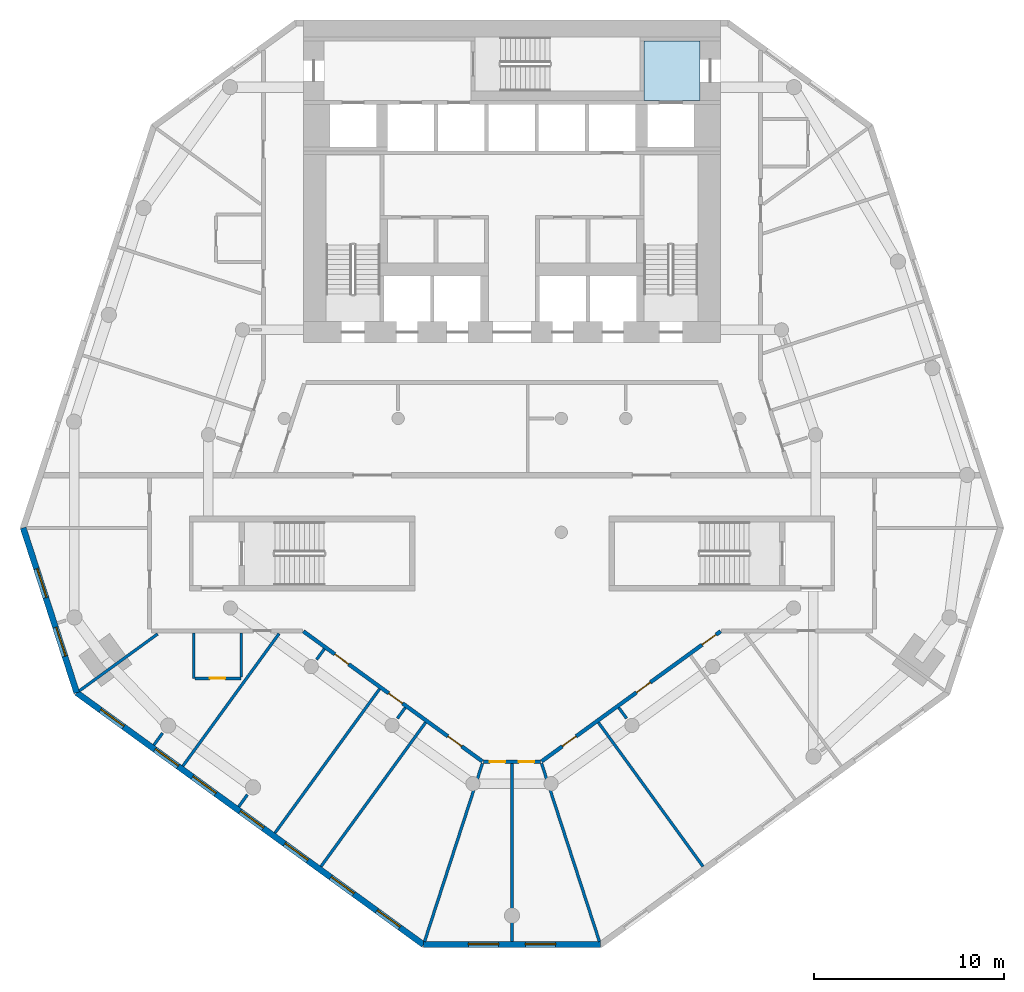
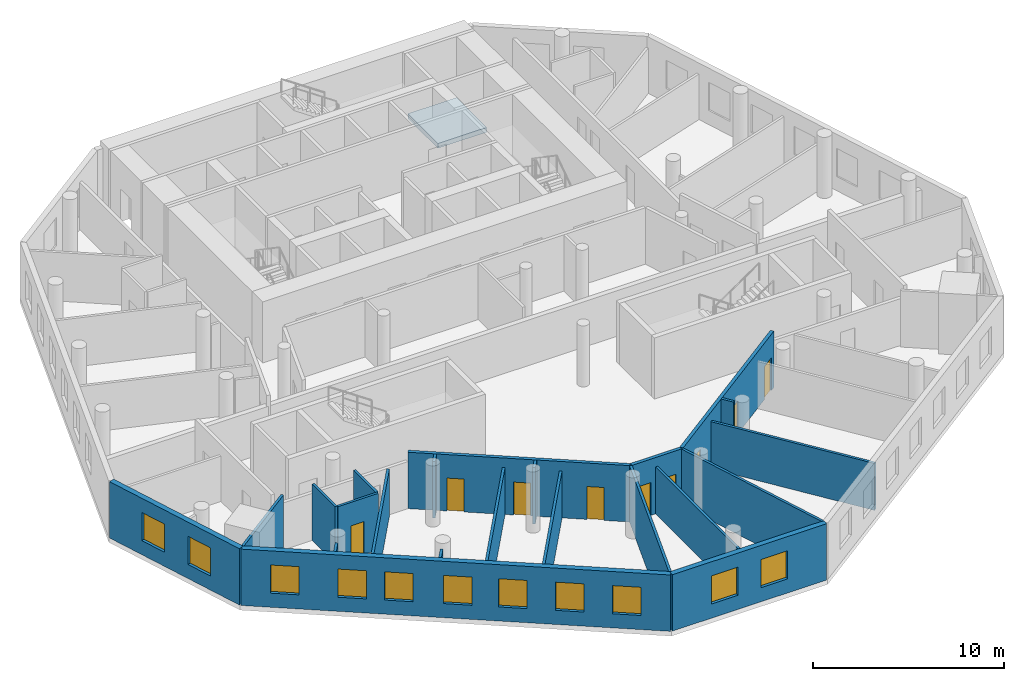
# One storey, part 2 of 9: 22 walls, 11 windows, 9 doors, 1 slab, 20 openings.
"""IFC4 building model written with IfcOpenShell, lengths in metres."""

import ifcopenshell
import ifcopenshell.guid

model = None  # the IFC model being written
_history = None  # IfcOwnerHistory: only IFC2X3 demands one
_inside = {}  # id of a spatial element -> (the spatial element, [elements in it])
_under = {}  # id of a project, library or spatial element -> (it, [spatial elements below it])
_declared = {}  # id of a project -> (the project, [libraries it declares])
_typed = {}  # id of a type object -> (the type object, [elements of that type])
_made_of = {}  # id of a material, layer set ... -> (it, [elements and type objects made of it])


def new_model(schema):
    """Start an empty IFC model of exactly this schema.

    Asked for "IFC4X3", IfcOpenShell would pick the latest addendum, in which some entities
    have other attributes; the version numbers below select the first issue.
    IFC2X3 requires an IfcOwnerHistory on every rooted entity: one is made here for all.
    """
    global model, _history
    if schema == "IFC4X3":
        model = ifcopenshell.file(schema_version=(4, 3, 0, 0))
    else:
        model = ifcopenshell.file(schema=schema)
    _inside.clear()
    _under.clear()
    _declared.clear()
    _typed.clear()
    _made_of.clear()
    _history = None
    if model.schema == "IFC2X3":
        org = make("IfcOrganization", Name="unknown")
        user = make(
            "IfcPersonAndOrganization",
            ThePerson=make("IfcPerson", FamilyName="unknown"),
            TheOrganization=org,
        )
        app = make(
            "IfcApplication",
            ApplicationDeveloper=org,
            Version="unknown",
            ApplicationFullName="unknown",
            ApplicationIdentifier="unknown",
        )
        _history = make(
            "IfcOwnerHistory",
            OwningUser=user,
            OwningApplication=app,
            ChangeAction="ADDED",
            CreationDate=0,
        )
    return model


def make(cls, **values):
    """One entity of the class cls with the attributes given. An attribute that is None is left unset."""
    return model.create_entity(
        cls, **{name: value for name, value in values.items() if value is not None}
    )


def rooted(cls, **values):
    """An entity with a GlobalId (a new one), such as an element, a storey or a relation."""
    return make(cls, GlobalId=ifcopenshell.guid.new(), OwnerHistory=_history, **values)


def si_unit(unit_type, name, prefix=None):
    """IfcSIUnit, for example si_unit("LENGTHUNIT", "METRE", prefix="MILLI")."""
    return make("IfcSIUnit", UnitType=unit_type, Prefix=prefix, Name=name)


def assignment(units):
    """IfcUnitAssignment: the units of a project."""
    return None if units is None else make("IfcUnitAssignment", Units=units)


def point(xyz):
    """IfcCartesianPoint."""
    return None if xyz is None else make("IfcCartesianPoint", Coordinates=xyz)


def direction(xyz):
    """IfcDirection."""
    return None if xyz is None else make("IfcDirection", DirectionRatios=xyz)


def frame(location, z_axis=None, x_axis=None):
    """IfcAxis2Placement3D, a coordinate frame: its origin and axes. An axis left out is left unset."""
    return make(
        "IfcAxis2Placement3D",
        Location=point(location),
        Axis=direction(z_axis),
        RefDirection=direction(x_axis),
    )


def frame_2d(location, x_axis=None):
    """IfcAxis2Placement2D, a coordinate frame in the plane: its origin and x axis."""
    return make(
        "IfcAxis2Placement2D", Location=point(location), RefDirection=direction(x_axis)
    )


def origin():
    """The frame at (0, 0, 0) with its axes left unset."""
    return frame((0.0, 0.0, 0.0))


def place(relative_to, where):
    """IfcLocalPlacement: puts the frame where relative to a parent placement (None: the world)."""
    return make(
        "IfcLocalPlacement", PlacementRelTo=relative_to, RelativePlacement=where
    )


def context(
    kind, dimensions, precision=None, world=None, true_north=None, identifier=None
):
    """IfcGeometricRepresentationContext, for example the 3D "Model" context."""
    return make(
        "IfcGeometricRepresentationContext",
        ContextIdentifier=identifier,
        ContextType=kind,
        CoordinateSpaceDimension=dimensions,
        Precision=precision,
        WorldCoordinateSystem=world,
        TrueNorth=true_north,
    )


def subcontext(parent, identifier, kind, view, scale=None):
    """IfcGeometricRepresentationSubContext, for example "Body" below "Model"."""
    return make(
        "IfcGeometricRepresentationSubContext",
        ContextIdentifier=identifier,
        ContextType=kind,
        ParentContext=parent,
        TargetScale=scale,
        TargetView=view,
    )


def project(units=None, contexts=None):
    """IfcProject with its units and contexts."""
    return rooted(
        "IfcProject",
        Name="project",
        RepresentationContexts=contexts,
        UnitsInContext=assignment(units),
    )


def spatial(cls, under=None, at=None, **own):
    """A site, building, storey or space (cls), placed at a placement, below another one or the project."""
    s = rooted(cls, ObjectPlacement=at, **own)
    if under is not None:
        _under.setdefault(under.id(), (under, []))[1].append(s)
    return s


def polyline(points):
    """IfcPolyline through the points."""
    return make("IfcPolyline", Points=[point(p) for p in points])


def profile(cls, at=None, kind="AREA", **sizes):
    """A parametric profile (cls). Its sizes go by their IFC names, for example OverallWidth=200.0."""
    return make(cls, ProfileType=kind, Position=at, **sizes)


def rectangle(**sizes):
    """IfcRectangleProfileDef."""
    return profile("IfcRectangleProfileDef", **sizes)


def outline(outer, holes=None, kind="AREA"):
    """IfcArbitraryClosedProfileDef: a profile drawn as a closed curve; with holes, ...WithVoids."""
    if holes is None:
        return make("IfcArbitraryClosedProfileDef", ProfileType=kind, OuterCurve=outer)
    return make(
        "IfcArbitraryProfileDefWithVoids",
        ProfileType=kind,
        OuterCurve=outer,
        InnerCurves=holes,
    )


def extrude(swept, where, along, depth):
    """IfcExtrudedAreaSolid: the profile swept, set in the frame where, extruded along a direction by depth."""
    return make(
        "IfcExtrudedAreaSolid",
        SweptArea=swept,
        Position=where,
        ExtrudedDirection=direction(along),
        Depth=depth,
    )


def shape(context_of_items, identifier, shape_type, items):
    """IfcShapeRepresentation: the items that make up one representation, for example the "Body"."""
    return make(
        "IfcShapeRepresentation",
        ContextOfItems=context_of_items,
        RepresentationIdentifier=identifier,
        RepresentationType=shape_type,
        Items=items,
    )


def material(Name=None, Category=None):
    """IfcMaterial."""
    return make("IfcMaterial", Name=Name, Category=Category)


def layer(
    of_material, thickness, ventilated=None, Name=None, Category=None, Priority=None
):
    """IfcMaterialLayer: one layer of a wall or slab, of a material (None: an air gap)."""
    return make(
        "IfcMaterialLayer",
        Material=of_material,
        LayerThickness=thickness,
        IsVentilated=ventilated,
        Name=Name,
        Category=Category,
        Priority=Priority,
    )


def layer_set(layers, Name=None):
    """IfcMaterialLayerSet."""
    return make("IfcMaterialLayerSet", MaterialLayers=layers, LayerSetName=Name)


def made_of(thing, what):
    """Note that an element or type object is made of a material, layer set ...; save() writes the relation."""
    if what is not None:
        _made_of.setdefault(what.id(), (what, []))[1].append(thing)
    return thing


def type_object(cls, material=None, **own):
    """A type object (cls), such as IfcWallType, which elements share."""
    return made_of(rooted(cls, **own), material)


def element(
    cls,
    number,
    at=None,
    inside=None,
    cuts=None,
    type_object=None,
    material=None,
    context=None,
    identifier="Body",
    shape_type=None,
    held_by="IfcProductDefinitionShape",
    body=None,
    shapes=None,
    **own,
):
    """One element of the class cls, such as IfcWall. Its Tag is "e" and its number.

    at: its placement. inside: the storey or other place that contains it. cuts: it is an
    opening in that element (IfcRelVoidsElement). A single representation is given by context,
    identifier, shape_type and body (its items); several are given by shapes. held_by: the class
    of the entity that holds the representations. save() writes the other relations.
    """
    e = rooted(cls, Tag="e%d" % number, ObjectPlacement=at, **own)
    if body is not None:
        shapes = [shape(context, identifier, shape_type, body)]
    if shapes is not None:
        e.Representation = make(held_by, Representations=shapes)
    if inside is not None:
        _inside.setdefault(inside.id(), (inside, []))[1].append(e)
    if cuts is not None:
        rooted(
            "IfcRelVoidsElement", RelatingBuildingElement=cuts, RelatedOpeningElement=e
        )
    if type_object is not None:
        _typed.setdefault(type_object.id(), (type_object, []))[1].append(e)
    return made_of(e, material)


def fill(opening, filler):
    """IfcRelFillsElement: the door or window that sits in an opening."""
    return rooted(
        "IfcRelFillsElement",
        RelatingOpeningElement=opening,
        RelatedBuildingElement=filler,
    )


def aggregate(whole, parts):
    """IfcRelAggregates: a whole, such as a stair, and the parts it consists of."""
    return rooted("IfcRelAggregates", RelatingObject=whole, RelatedObjects=parts)


def save(model, path):
    """Write the relations noted so far, then the file.

    IfcRelAggregates (storeys below a building ...), IfcRelContainedInSpatialStructure (elements
    in a storey), IfcRelDefinesByType, IfcRelAssociatesMaterial and IfcRelDeclares: one each for
    every whole, place, type object, material and project.
    """
    for whole, parts in _under.values():
        aggregate(whole, parts)
    for where, things in _inside.values():
        rooted(
            "IfcRelContainedInSpatialStructure",
            RelatedElements=things,
            RelatingStructure=where,
        )
    for kind, things in _typed.values():
        rooted("IfcRelDefinesByType", RelatedObjects=things, RelatingType=kind)
    for what, things in _made_of.values():
        rooted("IfcRelAssociatesMaterial", RelatedObjects=things, RelatingMaterial=what)
    for by, libraries in _declared.values():
        rooted("IfcRelDeclares", RelatingContext=by, RelatedDefinitions=libraries)
    model.write(path)


model = new_model("IFC4")

# Units and contexts
model_context = context("Model", 3, precision=1e-05, world=origin(), true_north=direction((0.0, 1.0)))
body_context = subcontext(model_context, "Body", "Model", "MODEL_VIEW")
ifc_project = project(units=[si_unit("LENGTHUNIT", "METRE"), si_unit("AREAUNIT", "SQUARE_METRE"), si_unit("VOLUMEUNIT", "CUBIC_METRE"), si_unit("PLANEANGLEUNIT", "RADIAN"), si_unit("MASSUNIT", "GRAM", prefix="KILO")], contexts=[model_context])

# Site, building, storey
site_placement = place(None, origin())
site = spatial("IfcSite", under=ifc_project, at=site_placement, CompositionType="ELEMENT")
building_placement = place(site_placement, origin())
building = spatial("IfcBuilding", under=site, at=building_placement, Name="White Candle Pilgrim Tower", CompositionType="ELEMENT")
storey_placement = place(building_placement, frame((0.0, 0.0, 98.60009765625)))
storey = spatial("IfcBuildingStorey", under=building, at=storey_placement, Name="L21", CompositionType="ELEMENT", Elevation=98.60009765625)

# Slab
ifc_material_1 = material(Name="Concrete C40/50", Category="concrete")
ifc_layer_1 = layer(ifc_material_1, 0.300048828125)
ifc_layer_set_1 = layer_set([ifc_layer_1], Name="Core floor slab 300 mm Concrete C40/50")
slab_type = type_object("IfcSlabType", Name="Core floor slab 300 mm Concrete C40/50", PredefinedType="FLOOR", material=ifc_layer_set_1)
slab_placement = place(storey_placement, frame((0.0, 0.0, -0.300048828125)))
element("IfcSlab", 1, at=slab_placement, inside=storey, type_object=slab_type, Name="CF-L21-06", PredefinedType="FLOOR", context=body_context, shape_type="SweptSolid", body=[
    extrude(outline(polyline([(79.89990234375, 86.89990234375), (79.89990234375, 83.75), (76.949951171875, 83.75), (76.949951171875, 84.25), (76.949951171875, 86.89990234375), (79.89990234375, 86.89990234375)])), origin(), (0.0, 0.0, 1.0), 0.300048828125),
])

# Wall, openings, doors
ifc_material_2 = material(Name="Gypsum board on steel studs", Category="steel")
ifc_layer_2 = layer(ifc_material_2, 0.199951171875)
ifc_layer_set_2 = layer_set([ifc_layer_2], Name="Corridor wall 200 mm EI 45")
wall_type_1 = type_object("IfcWallType", Name="Corridor wall 200 mm EI 45", PredefinedType="PARTITIONING", material=ifc_layer_set_2)
wall_1_placement = place(storey_placement, frame((80.9951171875, 55.781005859375, 0.0), z_axis=(0.0, 0.0, 1.0), x_axis=(-0.809008378027, -0.587797111495, 0.0)))
wall_1 = element("IfcWall", 2, at=wall_1_placement, inside=storey, type_object=wall_type_1, Name="WL-L21-P008", PredefinedType="PARTITIONING", context=body_context, shape_type="SweptSolid", body=[
    extrude(rectangle(XDim=11.666748046875, YDim=0.199951171875, at=frame_2d((5.83349609375, 0.0))), origin(), (0.0, 0.0, 1.0), 3.599853515625),
])
opening_1_placement = place(wall_1_placement, frame((9.41748046875, 0.0, 0.0)))
opening_1 = element("IfcOpeningElement", 3, at=opening_1_placement, cuts=wall_1, Name="Opening T06-110", PredefinedType="OPENING", context=body_context, shape_type="SweptSolid", body=[
    extrude(rectangle(XDim=0.89990234375, YDim=2.10009765625, at=frame_2d((0.449951171875, 1.050048828125))), frame((0.0, 0.10986328125, 0.0), z_axis=(0.0, -1.0, 0.0), x_axis=(1.0, 0.0, 0.0)), (0.0, 0.0, 1.0), 0.219970703125),
])
opening_2_placement = place(wall_1_placement, frame((4.58544921875, 0.0, 0.0)))
opening_2 = element("IfcOpeningElement", 4, at=opening_2_placement, cuts=wall_1, Name="Opening T06-111", PredefinedType="OPENING", context=body_context, shape_type="SweptSolid", body=[
    extrude(rectangle(XDim=0.89990234375, YDim=2.10009765625, at=frame_2d((0.449951171875, 1.050048828125))), frame((0.0, 0.10986328125, 0.0), z_axis=(0.0, -1.0, 0.0), x_axis=(1.0, 0.0, 0.0)), (0.0, 0.0, 1.0), 0.219970703125),
])
opening_3_placement = place(wall_1_placement, frame((0.301513671875, 0.0, 0.0)))
opening_3 = element("IfcOpeningElement", 5, at=opening_3_placement, cuts=wall_1, Name="Opening T06-112", PredefinedType="OPENING", context=body_context, shape_type="SweptSolid", body=[
    extrude(rectangle(XDim=0.89990234375, YDim=2.10009765625, at=frame_2d((0.449951171875, 1.050048828125))), frame((0.0, 0.10986328125, 0.0), z_axis=(0.0, -1.0, 0.0), x_axis=(1.0, 0.0, 0.0)), (0.0, 0.0, 1.0), 0.219970703125),
])
ifc_material_3 = material(Name="Steel door leaf", Category="steel")
door_type_1 = type_object("IfcDoorType", Name="Fire door 900 x 2100 EI 30", OperationType="NOTDEFINED", PredefinedType="DOOR", material=ifc_material_3)
door_1_placement = place(opening_1_placement, origin())
door_1 = element("IfcDoor", 6, at=door_1_placement, inside=storey, type_object=door_type_1, Name="Door T06-110", OperationType="SINGLE_SWING_RIGHT", OverallHeight=2.10009765625, OverallWidth=0.89990234375, PredefinedType="DOOR", context=body_context, shape_type="SweptSolid", body=[
    extrude(rectangle(XDim=0.89990234375, YDim=2.10009765625, at=frame_2d((0.449951171875, 1.050048828125))), frame((0.0, 0.02490234375, 0.0), z_axis=(0.0, -1.0, 0.0), x_axis=(1.0, 0.0, 0.0)), (0.0, 0.0, 1.0), 0.050048828125),
])
fill(opening_1, door_1)
door_2_placement = place(opening_2_placement, origin())
door_2 = element("IfcDoor", 7, at=door_2_placement, inside=storey, type_object=door_type_1, Name="Door T06-111", OperationType="SINGLE_SWING_LEFT", OverallHeight=2.10009765625, OverallWidth=0.89990234375, PredefinedType="DOOR", context=body_context, shape_type="SweptSolid", body=[
    extrude(rectangle(XDim=0.89990234375, YDim=2.10009765625, at=frame_2d((0.449951171875, 1.050048828125))), frame((0.0, 0.02490234375, 0.0), z_axis=(0.0, -1.0, 0.0), x_axis=(1.0, 0.0, 0.0)), (0.0, 0.0, 1.0), 0.050048828125),
])
fill(opening_2, door_2)
door_3_placement = place(opening_3_placement, origin())
door_3 = element("IfcDoor", 8, at=door_3_placement, inside=storey, type_object=door_type_1, Name="Door T06-112", OperationType="SINGLE_SWING_LEFT", OverallHeight=2.10009765625, OverallWidth=0.89990234375, PredefinedType="DOOR", context=body_context, shape_type="SweptSolid", body=[
    extrude(rectangle(XDim=0.89990234375, YDim=2.10009765625, at=frame_2d((0.449951171875, 1.050048828125))), frame((0.0, 0.02490234375, 0.0), z_axis=(0.0, -1.0, 0.0), x_axis=(1.0, 0.0, 0.0)), (0.0, 0.0, 1.0), 0.050048828125),
])
fill(opening_3, door_3)

wall_2_placement = place(storey_placement, frame((71.497802734375, 48.904296875, 0.0), z_axis=(0.0, 0.0, 1.0), x_axis=(-1.0, 0.0, 0.0)))
wall_2 = element("IfcWall", 9, at=wall_2_placement, inside=storey, type_object=wall_type_1, Name="WL-L21-P009", PredefinedType="PARTITIONING", context=body_context, shape_type="SweptSolid", body=[
    extrude(rectangle(XDim=2.99560546875, YDim=0.199951171875, at=frame_2d((1.497802734375, 0.0))), origin(), (0.0, 0.0, 1.0), 3.599853515625),
])
opening_4_placement = place(wall_2_placement, frame((1.863037109375, 0.0, 0.0)))
opening_4 = element("IfcOpeningElement", 10, at=opening_4_placement, cuts=wall_2, Name="Opening T06-108", PredefinedType="OPENING", context=body_context, shape_type="SweptSolid", body=[
    extrude(rectangle(XDim=0.800048828125, YDim=2.10009765625, at=frame_2d((0.39990234375, 1.050048828125))), frame((0.0, 0.10986328125, 0.0), z_axis=(0.0, -1.0, 0.0), x_axis=(1.0, 0.0, 0.0)), (0.0, 0.0, 1.0), 0.219970703125),
])
opening_5_placement = place(wall_2_placement, frame((0.33251953125, 0.0, 0.0)))
opening_5 = element("IfcOpeningElement", 11, at=opening_5_placement, cuts=wall_2, Name="Opening T06-109", PredefinedType="OPENING", context=body_context, shape_type="SweptSolid", body=[
    extrude(rectangle(XDim=0.800048828125, YDim=2.10009765625, at=frame_2d((0.39990234375, 1.050048828125))), frame((0.0, 0.10986328125, 0.0), z_axis=(0.0, -1.0, 0.0), x_axis=(1.0, 0.0, 0.0)), (0.0, 0.0, 1.0), 0.219970703125),
])
door_type_2 = type_object("IfcDoorType", Name="Fire door 800 x 2100 EI 30", OperationType="NOTDEFINED", PredefinedType="DOOR", material=ifc_material_3)
door_4_placement = place(opening_4_placement, origin())
door_4 = element("IfcDoor", 12, at=door_4_placement, inside=storey, type_object=door_type_2, Name="Door T06-108", OperationType="SINGLE_SWING_RIGHT", OverallHeight=2.10009765625, OverallWidth=0.800048828125, PredefinedType="DOOR", context=body_context, shape_type="SweptSolid", body=[
    extrude(rectangle(XDim=0.800048828125, YDim=2.10009765625, at=frame_2d((0.39990234375, 1.050048828125))), frame((0.0, 0.02490234375, 0.0), z_axis=(0.0, -1.0, 0.0), x_axis=(1.0, 0.0, 0.0)), (0.0, 0.0, 1.0), 0.050048828125),
])
fill(opening_4, door_4)
door_5_placement = place(opening_5_placement, origin())
door_5 = element("IfcDoor", 13, at=door_5_placement, inside=storey, type_object=door_type_2, Name="Door T06-109", OperationType="SINGLE_SWING_LEFT", OverallHeight=2.10009765625, OverallWidth=0.800048828125, PredefinedType="DOOR", context=body_context, shape_type="SweptSolid", body=[
    extrude(rectangle(XDim=0.800048828125, YDim=2.10009765625, at=frame_2d((0.39990234375, 1.050048828125))), frame((0.0, 0.02490234375, 0.0), z_axis=(0.0, -1.0, 0.0), x_axis=(1.0, 0.0, 0.0)), (0.0, 0.0, 1.0), 0.050048828125),
])
fill(opening_5, door_5)

wall_3_placement = place(storey_placement, frame((68.443359375, 48.92333984375, 0.0), z_axis=(0.0, 0.0, 1.0), x_axis=(-0.809008378027, 0.587797111495, 0.0)))
wall_3 = element("IfcWall", 14, at=wall_3_placement, inside=storey, type_object=wall_type_1, Name="WL-L21-P010", PredefinedType="PARTITIONING", context=body_context, shape_type="SweptSolid", body=[
    extrude(rectangle(XDim=11.666748046875, YDim=0.199951171875, at=frame_2d((5.83349609375, 0.0))), origin(), (0.0, 0.0, 1.0), 3.599853515625),
])
opening_6_placement = place(wall_3_placement, frame((8.715087890625, 0.0, 0.0)))
opening_6 = element("IfcOpeningElement", 15, at=opening_6_placement, cuts=wall_3, Name="Opening T06-105", PredefinedType="OPENING", context=body_context, shape_type="SweptSolid", body=[
    extrude(rectangle(XDim=0.89990234375, YDim=2.10009765625, at=frame_2d((0.449951171875, 1.050048828125))), frame((0.0, 0.10986328125, 0.0), z_axis=(0.0, -1.0, 0.0), x_axis=(1.0, 0.0, 0.0)), (0.0, 0.0, 1.0), 0.219970703125),
])
opening_7_placement = place(wall_3_placement, frame((5.206298828125, 0.0, 0.0)))
opening_7 = element("IfcOpeningElement", 16, at=opening_7_placement, cuts=wall_3, Name="Opening T06-106", PredefinedType="OPENING", context=body_context, shape_type="SweptSolid", body=[
    extrude(rectangle(XDim=0.89990234375, YDim=2.10009765625, at=frame_2d((0.449951171875, 1.050048828125))), frame((0.0, 0.10986328125, 0.0), z_axis=(0.0, -1.0, 0.0), x_axis=(1.0, 0.0, 0.0)), (0.0, 0.0, 1.0), 0.219970703125),
])
opening_8_placement = place(wall_3_placement, frame((1.349365234375, 0.0, 0.0)))
opening_8 = element("IfcOpeningElement", 17, at=opening_8_placement, cuts=wall_3, Name="Opening T06-107", PredefinedType="OPENING", context=body_context, shape_type="SweptSolid", body=[
    extrude(rectangle(XDim=0.89990234375, YDim=2.10009765625, at=frame_2d((0.449951171875, 1.050048828125))), frame((0.0, 0.10986328125, 0.0), z_axis=(0.0, -1.0, 0.0), x_axis=(1.0, 0.0, 0.0)), (0.0, 0.0, 1.0), 0.219970703125),
])
door_6_placement = place(opening_6_placement, origin())
door_6 = element("IfcDoor", 18, at=door_6_placement, inside=storey, type_object=door_type_1, Name="Door T06-105", OperationType="SINGLE_SWING_LEFT", OverallHeight=2.10009765625, OverallWidth=0.89990234375, PredefinedType="DOOR", context=body_context, shape_type="SweptSolid", body=[
    extrude(rectangle(XDim=0.89990234375, YDim=2.10009765625, at=frame_2d((0.449951171875, 1.050048828125))), frame((0.0, 0.02490234375, 0.0), z_axis=(0.0, -1.0, 0.0), x_axis=(1.0, 0.0, 0.0)), (0.0, 0.0, 1.0), 0.050048828125),
])
fill(opening_6, door_6)
door_7_placement = place(opening_7_placement, origin())
door_7 = element("IfcDoor", 19, at=door_7_placement, inside=storey, type_object=door_type_1, Name="Door T06-106", OperationType="SINGLE_SWING_RIGHT", OverallHeight=2.10009765625, OverallWidth=0.89990234375, PredefinedType="DOOR", context=body_context, shape_type="SweptSolid", body=[
    extrude(rectangle(XDim=0.89990234375, YDim=2.10009765625, at=frame_2d((0.449951171875, 1.050048828125))), frame((0.0, 0.02490234375, 0.0), z_axis=(0.0, -1.0, 0.0), x_axis=(1.0, 0.0, 0.0)), (0.0, 0.0, 1.0), 0.050048828125),
])
fill(opening_7, door_7)
door_8_placement = place(opening_8_placement, origin())
door_8 = element("IfcDoor", 20, at=door_8_placement, inside=storey, type_object=door_type_1, Name="Door T06-107", OperationType="SINGLE_SWING_LEFT", OverallHeight=2.10009765625, OverallWidth=0.89990234375, PredefinedType="DOOR", context=body_context, shape_type="SweptSolid", body=[
    extrude(rectangle(XDim=0.89990234375, YDim=2.10009765625, at=frame_2d((0.449951171875, 1.050048828125))), frame((0.0, 0.02490234375, 0.0), z_axis=(0.0, -1.0, 0.0), x_axis=(1.0, 0.0, 0.0)), (0.0, 0.0, 1.0), 0.050048828125),
])
fill(opening_8, door_8)

# Wall, openings, windows
ifc_material_4 = material(Name="Precast concrete C40/50", Category="concrete")
ifc_layer_3 = layer(ifc_material_4, 0.320068359375)
ifc_layer_set_3 = layer_set([ifc_layer_3], Name="Facade wall EW1 precast concrete C40/50 pier wall with timber-lined reveals")
wall_type_2 = type_object("IfcWallType", Name="Facade wall EW1 precast concrete C40/50 pier wall with timber-lined reveals", PredefinedType="SOLIDWALL", material=ifc_layer_set_3)
wall_4_placement = place(storey_placement, frame((44.237548828125, 61.230712890625, 0.0), z_axis=(0.0, 0.0, 1.0), x_axis=(0.309026240246, -0.95105351208, 0.0)))
wall_4 = element("IfcWall", 21, at=wall_4_placement, inside=storey, type_object=wall_type_2, Name="Facade wall L21 W chamfer", PredefinedType="SOLIDWALL", context=body_context, shape_type="SweptSolid", body=[
    extrude(rectangle(XDim=9.13427734375, YDim=0.320068359375, at=frame_2d((4.567138671875, 0.0))), origin(), (0.0, 0.0, 1.0), 3.599853515625),
])
opening_9_placement = place(wall_4_placement, frame((2.26708984375, 0.0, 0.89990234375)))
opening_9 = element("IfcOpeningElement", 22, at=opening_9_placement, cuts=wall_4, Name="Opening W2", PredefinedType="OPENING", context=body_context, shape_type="SweptSolid", body=[
    extrude(rectangle(XDim=1.60009765625, YDim=1.800048828125, at=frame_2d((0.800048828125, 0.89990234375))), frame((0.0, 0.169921875, 0.0), z_axis=(0.0, -1.0, 0.0), x_axis=(1.0, 0.0, 0.0)), (0.0, 0.0, 1.0), 0.340087890625),
])
opening_10_placement = place(wall_4_placement, frame((5.51708984375, 0.0, 0.89990234375)))
opening_10 = element("IfcOpeningElement", 23, at=opening_10_placement, cuts=wall_4, Name="Opening W2", PredefinedType="OPENING", context=body_context, shape_type="SweptSolid", body=[
    extrude(rectangle(XDim=1.60009765625, YDim=1.800048828125, at=frame_2d((0.800048828125, 0.89990234375))), frame((0.0, 0.169921875, 0.0), z_axis=(0.0, -1.0, 0.0), x_axis=(1.0, 0.0, 0.0)), (0.0, 0.0, 1.0), 0.340087890625),
])
ifc_material_5 = material(Name="Timber frame with triple glazing", Category="wood")
window_type_1 = type_object("IfcWindowType", Name="Window W2 1600x1800 timber frame triple glazing", PartitioningType="SINGLE_PANEL", PredefinedType="WINDOW", material=ifc_material_5)
window_1_placement = place(opening_9_placement, origin())
window_1 = element("IfcWindow", 24, at=window_1_placement, inside=storey, type_object=window_type_1, Name="Window W2 L21 W chamfer 1", OverallHeight=1.800048828125, OverallWidth=1.60009765625, PartitioningType="SINGLE_PANEL", PredefinedType="WINDOW", context=body_context, shape_type="SweptSolid", body=[
    extrude(rectangle(XDim=1.60009765625, YDim=1.800048828125, at=frame_2d((0.800048828125, 0.89990234375))), frame((0.0, 0.070068359375, 0.0), z_axis=(0.0, -1.0, 0.0), x_axis=(1.0, 0.0, 0.0)), (0.0, 0.0, 1.0), 0.06005859375),
])
fill(opening_9, window_1)
window_2_placement = place(opening_10_placement, origin())
window_2 = element("IfcWindow", 25, at=window_2_placement, inside=storey, type_object=window_type_1, Name="Window W2 L21 W chamfer 2", OverallHeight=1.800048828125, OverallWidth=1.60009765625, PartitioningType="SINGLE_PANEL", PredefinedType="WINDOW", context=body_context, shape_type="SweptSolid", body=[
    extrude(rectangle(XDim=1.60009765625, YDim=1.800048828125, at=frame_2d((0.800048828125, 0.89990234375))), frame((0.0, 0.070068359375, 0.0), z_axis=(0.0, -1.0, 0.0), x_axis=(1.0, 0.0, 0.0)), (0.0, 0.0, 1.0), 0.06005859375),
])
fill(opening_10, window_2)

wall_5_placement = place(storey_placement, frame((47.060302734375, 52.54345703125, 0.0), z_axis=(0.0, 0.0, 1.0), x_axis=(0.809012643171, -0.587791241165, 0.0)))
wall_5 = element("IfcWall", 26, at=wall_5_placement, inside=storey, type_object=wall_type_2, Name="Facade wall L21 SW", PredefinedType="SOLIDWALL", context=body_context, shape_type="SweptSolid", body=[
    extrude(rectangle(XDim=22.591796875, YDim=0.320068359375, at=frame_2d((11.2958984375, 0.0))), origin(), (0.0, 0.0, 1.0), 3.599853515625),
])
opening_11_placement = place(wall_5_placement, frame((1.5458984375, 0.0, 0.89990234375)))
opening_11 = element("IfcOpeningElement", 27, at=opening_11_placement, cuts=wall_5, Name="Opening W1", PredefinedType="OPENING", context=body_context, shape_type="SweptSolid", body=[
    extrude(rectangle(XDim=1.5, YDim=1.800048828125, at=frame_2d((0.75, 0.89990234375))), frame((0.0, 0.169921875, 0.0), z_axis=(0.0, -1.0, 0.0), x_axis=(1.0, 0.0, 0.0)), (0.0, 0.0, 1.0), 0.340087890625),
])
opening_12_placement = place(wall_5_placement, frame((5.095947265625, 0.0, 0.89990234375)))
opening_12 = element("IfcOpeningElement", 28, at=opening_12_placement, cuts=wall_5, Name="Opening W1", PredefinedType="OPENING", context=body_context, shape_type="SweptSolid", body=[
    extrude(rectangle(XDim=1.5, YDim=1.800048828125, at=frame_2d((0.75, 0.89990234375))), frame((0.0, 0.169921875, 0.0), z_axis=(0.0, -1.0, 0.0), x_axis=(1.0, 0.0, 0.0)), (0.0, 0.0, 1.0), 0.340087890625),
])
opening_13_placement = place(wall_5_placement, frame((7.5458984375, 0.0, 0.89990234375)))
opening_13 = element("IfcOpeningElement", 29, at=opening_13_placement, cuts=wall_5, Name="Opening W1", PredefinedType="OPENING", context=body_context, shape_type="SweptSolid", body=[
    extrude(rectangle(XDim=1.5, YDim=1.800048828125, at=frame_2d((0.75, 0.89990234375))), frame((0.0, 0.169921875, 0.0), z_axis=(0.0, -1.0, 0.0), x_axis=(1.0, 0.0, 0.0)), (0.0, 0.0, 1.0), 0.340087890625),
])
opening_14_placement = place(wall_5_placement, frame((10.64599609375, 0.0, 0.89990234375)))
opening_14 = element("IfcOpeningElement", 30, at=opening_14_placement, cuts=wall_5, Name="Opening W1", PredefinedType="OPENING", context=body_context, shape_type="SweptSolid", body=[
    extrude(rectangle(XDim=1.5, YDim=1.800048828125, at=frame_2d((0.75, 0.89990234375))), frame((0.0, 0.169921875, 0.0), z_axis=(0.0, -1.0, 0.0), x_axis=(1.0, 0.0, 0.0)), (0.0, 0.0, 1.0), 0.340087890625),
])
opening_15_placement = place(wall_5_placement, frame((13.5458984375, 0.0, 0.89990234375)))
opening_15 = element("IfcOpeningElement", 31, at=opening_15_placement, cuts=wall_5, Name="Opening W1", PredefinedType="OPENING", context=body_context, shape_type="SweptSolid", body=[
    extrude(rectangle(XDim=1.5, YDim=1.800048828125, at=frame_2d((0.75, 0.89990234375))), frame((0.0, 0.169921875, 0.0), z_axis=(0.0, -1.0, 0.0), x_axis=(1.0, 0.0, 0.0)), (0.0, 0.0, 1.0), 0.340087890625),
])
opening_16_placement = place(wall_5_placement, frame((16.5458984375, 0.0, 0.89990234375)))
opening_16 = element("IfcOpeningElement", 32, at=opening_16_placement, cuts=wall_5, Name="Opening W1", PredefinedType="OPENING", context=body_context, shape_type="SweptSolid", body=[
    extrude(rectangle(XDim=1.5, YDim=1.800048828125, at=frame_2d((0.75, 0.89990234375))), frame((0.0, 0.169921875, 0.0), z_axis=(0.0, -1.0, 0.0), x_axis=(1.0, 0.0, 0.0)), (0.0, 0.0, 1.0), 0.340087890625),
])
opening_17_placement = place(wall_5_placement, frame((19.5458984375, 0.0, 0.89990234375)))
opening_17 = element("IfcOpeningElement", 33, at=opening_17_placement, cuts=wall_5, Name="Opening W1", PredefinedType="OPENING", context=body_context, shape_type="SweptSolid", body=[
    extrude(rectangle(XDim=1.5, YDim=1.800048828125, at=frame_2d((0.75, 0.89990234375))), frame((0.0, 0.169921875, 0.0), z_axis=(0.0, -1.0, 0.0), x_axis=(1.0, 0.0, 0.0)), (0.0, 0.0, 1.0), 0.340087890625),
])
window_type_2 = type_object("IfcWindowType", Name="Window W1 1500x1800 timber frame triple glazing", PartitioningType="SINGLE_PANEL", PredefinedType="WINDOW", material=ifc_material_5)
window_3_placement = place(opening_11_placement, origin())
window_3 = element("IfcWindow", 34, at=window_3_placement, inside=storey, type_object=window_type_2, Name="Window W1 L21 SW 1", OverallHeight=1.800048828125, OverallWidth=1.5, PartitioningType="SINGLE_PANEL", PredefinedType="WINDOW", context=body_context, shape_type="SweptSolid", body=[
    extrude(rectangle(XDim=1.5, YDim=1.800048828125, at=frame_2d((0.75, 0.89990234375))), frame((0.0, 0.070068359375, 0.0), z_axis=(0.0, -1.0, 0.0), x_axis=(1.0, 0.0, 0.0)), (0.0, 0.0, 1.0), 0.06005859375),
])
fill(opening_11, window_3)
window_4_placement = place(opening_12_placement, origin())
window_4 = element("IfcWindow", 35, at=window_4_placement, inside=storey, type_object=window_type_2, Name="Window W1 L21 SW 2", OverallHeight=1.800048828125, OverallWidth=1.5, PartitioningType="SINGLE_PANEL", PredefinedType="WINDOW", context=body_context, shape_type="SweptSolid", body=[
    extrude(rectangle(XDim=1.5, YDim=1.800048828125, at=frame_2d((0.75, 0.89990234375))), frame((0.0, 0.070068359375, 0.0), z_axis=(0.0, -1.0, 0.0), x_axis=(1.0, 0.0, 0.0)), (0.0, 0.0, 1.0), 0.06005859375),
])
fill(opening_12, window_4)
window_5_placement = place(opening_13_placement, origin())
window_5 = element("IfcWindow", 36, at=window_5_placement, inside=storey, type_object=window_type_2, Name="Window W1 L21 SW 3", OverallHeight=1.800048828125, OverallWidth=1.5, PartitioningType="SINGLE_PANEL", PredefinedType="WINDOW", context=body_context, shape_type="SweptSolid", body=[
    extrude(rectangle(XDim=1.5, YDim=1.800048828125, at=frame_2d((0.75, 0.89990234375))), frame((0.0, 0.070068359375, 0.0), z_axis=(0.0, -1.0, 0.0), x_axis=(1.0, 0.0, 0.0)), (0.0, 0.0, 1.0), 0.06005859375),
])
fill(opening_13, window_5)
window_6_placement = place(opening_14_placement, origin())
window_6 = element("IfcWindow", 37, at=window_6_placement, inside=storey, type_object=window_type_2, Name="Window W1 L21 SW 4", OverallHeight=1.800048828125, OverallWidth=1.5, PartitioningType="SINGLE_PANEL", PredefinedType="WINDOW", context=body_context, shape_type="SweptSolid", body=[
    extrude(rectangle(XDim=1.5, YDim=1.800048828125, at=frame_2d((0.75, 0.89990234375))), frame((0.0, 0.070068359375, 0.0), z_axis=(0.0, -1.0, 0.0), x_axis=(1.0, 0.0, 0.0)), (0.0, 0.0, 1.0), 0.06005859375),
])
fill(opening_14, window_6)
window_7_placement = place(opening_15_placement, origin())
window_7 = element("IfcWindow", 38, at=window_7_placement, inside=storey, type_object=window_type_2, Name="Window W1 L21 SW 5", OverallHeight=1.800048828125, OverallWidth=1.5, PartitioningType="SINGLE_PANEL", PredefinedType="WINDOW", context=body_context, shape_type="SweptSolid", body=[
    extrude(rectangle(XDim=1.5, YDim=1.800048828125, at=frame_2d((0.75, 0.89990234375))), frame((0.0, 0.070068359375, 0.0), z_axis=(0.0, -1.0, 0.0), x_axis=(1.0, 0.0, 0.0)), (0.0, 0.0, 1.0), 0.06005859375),
])
fill(opening_15, window_7)
window_8_placement = place(opening_16_placement, origin())
window_8 = element("IfcWindow", 39, at=window_8_placement, inside=storey, type_object=window_type_2, Name="Window W1 L21 SW 6", OverallHeight=1.800048828125, OverallWidth=1.5, PartitioningType="SINGLE_PANEL", PredefinedType="WINDOW", context=body_context, shape_type="SweptSolid", body=[
    extrude(rectangle(XDim=1.5, YDim=1.800048828125, at=frame_2d((0.75, 0.89990234375))), frame((0.0, 0.070068359375, 0.0), z_axis=(0.0, -1.0, 0.0), x_axis=(1.0, 0.0, 0.0)), (0.0, 0.0, 1.0), 0.06005859375),
])
fill(opening_16, window_8)
window_9_placement = place(opening_17_placement, origin())
window_9 = element("IfcWindow", 40, at=window_9_placement, inside=storey, type_object=window_type_2, Name="Window W1 L21 SW 7", OverallHeight=1.800048828125, OverallWidth=1.5, PartitioningType="SINGLE_PANEL", PredefinedType="WINDOW", context=body_context, shape_type="SweptSolid", body=[
    extrude(rectangle(XDim=1.5, YDim=1.800048828125, at=frame_2d((0.75, 0.89990234375))), frame((0.0, 0.070068359375, 0.0), z_axis=(0.0, -1.0, 0.0), x_axis=(1.0, 0.0, 0.0)), (0.0, 0.0, 1.0), 0.06005859375),
])
fill(opening_17, window_9)

wall_6_placement = place(storey_placement, frame((65.33740234375, 39.26416015625, 0.0), z_axis=(0.0, 0.0, 1.0), x_axis=(1.0, 0.0, 0.0)))
wall_6 = element("IfcWall", 41, at=wall_6_placement, inside=storey, type_object=wall_type_2, Name="Facade wall L21 S chamfer", PredefinedType="SOLIDWALL", context=body_context, shape_type="SweptSolid", body=[
    extrude(rectangle(XDim=9.3251953125, YDim=0.320068359375, at=frame_2d((4.66259765625, 0.0))), origin(), (0.0, 0.0, 1.0), 3.599853515625),
])
opening_18_placement = place(wall_6_placement, frame((2.362548828125, 0.0, 0.89990234375)))
opening_18 = element("IfcOpeningElement", 42, at=opening_18_placement, cuts=wall_6, Name="Opening W2", PredefinedType="OPENING", context=body_context, shape_type="SweptSolid", body=[
    extrude(rectangle(XDim=1.60009765625, YDim=1.800048828125, at=frame_2d((0.800048828125, 0.89990234375))), frame((0.0, 0.169921875, 0.0), z_axis=(0.0, -1.0, 0.0), x_axis=(1.0, 0.0, 0.0)), (0.0, 0.0, 1.0), 0.340087890625),
])
opening_19_placement = place(wall_6_placement, frame((5.362548828125, 0.0, 0.89990234375)))
opening_19 = element("IfcOpeningElement", 43, at=opening_19_placement, cuts=wall_6, Name="Opening W2", PredefinedType="OPENING", context=body_context, shape_type="SweptSolid", body=[
    extrude(rectangle(XDim=1.60009765625, YDim=1.800048828125, at=frame_2d((0.800048828125, 0.89990234375))), frame((0.0, 0.169921875, 0.0), z_axis=(0.0, -1.0, 0.0), x_axis=(1.0, 0.0, 0.0)), (0.0, 0.0, 1.0), 0.340087890625),
])
window_10_placement = place(opening_18_placement, origin())
window_10 = element("IfcWindow", 44, at=window_10_placement, inside=storey, type_object=window_type_1, Name="Window W2 L21 S chamfer 1", OverallHeight=1.800048828125, OverallWidth=1.60009765625, PartitioningType="SINGLE_PANEL", PredefinedType="WINDOW", context=body_context, shape_type="SweptSolid", body=[
    extrude(rectangle(XDim=1.60009765625, YDim=1.800048828125, at=frame_2d((0.800048828125, 0.89990234375))), frame((0.0, 0.070068359375, 0.0), z_axis=(0.0, -1.0, 0.0), x_axis=(1.0, 0.0, 0.0)), (0.0, 0.0, 1.0), 0.06005859375),
])
fill(opening_18, window_10)
window_11_placement = place(opening_19_placement, origin())
window_11 = element("IfcWindow", 45, at=window_11_placement, inside=storey, type_object=window_type_1, Name="Window W2 L21 S chamfer 2", OverallHeight=1.800048828125, OverallWidth=1.60009765625, PartitioningType="SINGLE_PANEL", PredefinedType="WINDOW", context=body_context, shape_type="SweptSolid", body=[
    extrude(rectangle(XDim=1.60009765625, YDim=1.800048828125, at=frame_2d((0.800048828125, 0.89990234375))), frame((0.0, 0.070068359375, 0.0), z_axis=(0.0, -1.0, 0.0), x_axis=(1.0, 0.0, 0.0)), (0.0, 0.0, 1.0), 0.06005859375),
])
fill(opening_19, window_11)

# Walls
ifc_layer_4 = layer(ifc_material_2, 0.14990234375)
ifc_layer_set_4 = layer_set([ifc_layer_4], Name="Partition 150 mm EI 60")
wall_type_3 = type_object("IfcWallType", Name="Partition 150 mm EI 60", PredefinedType="PARTITIONING", material=ifc_layer_set_4)
wall_7_placement = place(storey_placement, frame((47.1962890625, 52.642333984375, 0.0), z_axis=(0.0, 0.0, 1.0), x_axis=(0.809009310944, 0.587795827483, 0.0)))
element("IfcWall", 46, at=wall_7_placement, inside=storey, type_object=wall_type_3, Name="WL-L21-P018", PredefinedType="PARTITIONING", context=body_context, shape_type="SweptSolid", body=[
    extrude(rectangle(XDim=5.098876953125, YDim=0.14990234375, at=frame_2d((2.54931640625, 0.0))), origin(), (0.0, 0.0, 1.0), 3.599853515625),
])
for number, where, z_axis, x_axis, name in (
    (47, (65.389404296875, 39.42431640625, 0.0), (0.0, 0.0, 1.0), (0.309015131176, 0.951057121683, 0.0), "WL-L21-P019"),
    (48, (74.610595703125, 39.42431640625, 0.0), (0.0, 0.0, 1.0), (-0.309015131176, 0.951057121683, 0.0), "WL-L21-P020"),
):
    element("IfcWall", number, at=place(storey_placement, frame(where, z_axis=z_axis, x_axis=x_axis)), inside=storey, type_object=wall_type_3, Name=name, PredefinedType="PARTITIONING", context=body_context, shape_type="SweptSolid", body=[
        extrude(rectangle(XDim=9.8828125, YDim=0.14990234375, at=frame_2d((4.94140625, 0.0))), origin(), (0.0, 0.0, 1.0), 3.599853515625),
    ])
wall_8_placement = place(storey_placement, frame((52.65234375, 48.678466796875, 0.0), z_axis=(0.0, 0.0, 1.0), x_axis=(0.587774405354, 0.809024875026, 0.0)))
element("IfcWall", 49, at=wall_8_placement, inside=storey, type_object=wall_type_3, Name="WL-L21-P029", PredefinedType="PARTITIONING", context=body_context, shape_type="SweptSolid", body=[
    extrude(rectangle(XDim=8.62451171875, YDim=0.14990234375, at=frame_2d((4.312255859375, 0.0))), origin(), (0.0, 0.0, 1.0), 3.0),
])
for number, where, z_axis, x_axis, name in (
    (50, (57.50634765625, 45.151611328125, 0.0), (0.0, 0.0, 1.0), (0.587783184234, 0.809018496903, 0.0), "WL-L21-P030"),
    (51, (59.933349609375, 43.38818359375, 0.0), (0.0, 0.0, 1.0), (0.587800219247, 0.809006120034, 0.0), "WL-L21-P031"),
):
    element("IfcWall", number, at=place(storey_placement, frame(where, z_axis=z_axis, x_axis=x_axis)), inside=storey, type_object=wall_type_3, Name=name, PredefinedType="PARTITIONING", context=body_context, shape_type="SweptSolid", body=[
        extrude(rectangle(XDim=9.380126953125, YDim=0.14990234375, at=frame_2d((4.68994140625, 0.0))), origin(), (0.0, 0.0, 1.0), 3.0),
    ])
wall_9_placement = place(storey_placement, frame((53.2265625, 55.699951171875, 0.0), z_axis=(0.0, 0.0, 1.0), x_axis=(0.0, -1.0, 0.0)))
element("IfcWall", 52, at=wall_9_placement, inside=storey, type_object=wall_type_3, Name="WL-L21-P032", PredefinedType="PARTITIONING", context=body_context, shape_type="SweptSolid", body=[
    extrude(rectangle(XDim=2.39990234375, YDim=0.14990234375, at=frame_2d((1.199951171875, 0.0))), origin(), (0.0, 0.0, 1.0), 3.599853515625),
])

# Wall, opening, door
wall_10_placement = place(storey_placement, frame((55.7265625, 53.300048828125, 0.0), z_axis=(0.0, 0.0, 1.0), x_axis=(-1.0, 0.0, 0.0)))
wall_10 = element("IfcWall", 53, at=wall_10_placement, inside=storey, type_object=wall_type_3, Name="WL-L21-P033", PredefinedType="PARTITIONING", context=body_context, shape_type="SweptSolid", body=[
    extrude(rectangle(XDim=2.425048828125, YDim=0.14990234375, at=frame_2d((1.21240234375, 0.0))), origin(), (0.0, 0.0, 1.0), 3.599853515625),
])
opening_20_placement = place(wall_10_placement, frame((0.85009765625, 0.0, 0.0)))
opening_20 = element("IfcOpeningElement", 54, at=opening_20_placement, cuts=wall_10, Name="Opening T06-103", PredefinedType="OPENING", context=body_context, shape_type="SweptSolid", body=[
    extrude(rectangle(XDim=0.800048828125, YDim=2.10009765625, at=frame_2d((0.39990234375, 1.050048828125))), frame((0.0, 0.0849609375, 0.0), z_axis=(0.0, -1.0, 0.0), x_axis=(1.0, 0.0, 0.0)), (0.0, 0.0, 1.0), 0.169921875),
])
door_9_placement = place(opening_20_placement, origin())
door_9 = element("IfcDoor", 55, at=door_9_placement, inside=storey, type_object=door_type_2, Name="Door T06-103", OperationType="SINGLE_SWING_LEFT", OverallHeight=2.10009765625, OverallWidth=0.800048828125, PredefinedType="DOOR", context=body_context, shape_type="SweptSolid", body=[
    extrude(rectangle(XDim=0.800048828125, YDim=2.10009765625, at=frame_2d((0.39990234375, 1.050048828125))), frame((0.0, 0.02490234375, 0.0), z_axis=(0.0, -1.0, 0.0), x_axis=(1.0, 0.0, 0.0)), (0.0, 0.0, 1.0), 0.050048828125),
])
fill(opening_20, door_9)

# Walls
wall_11_placement = place(storey_placement, frame((55.7265625, 55.699951171875, 0.0), z_axis=(0.0, 0.0, 1.0), x_axis=(0.0, -1.0, 0.0)))
element("IfcWall", 56, at=wall_11_placement, inside=storey, type_object=wall_type_3, Name="WL-L21-P034", PredefinedType="PARTITIONING", context=body_context, shape_type="SweptSolid", body=[
    extrude(rectangle(XDim=2.324951171875, YDim=0.14990234375, at=frame_2d((1.16259765625, 0.0))), origin(), (0.0, 0.0, 1.0), 3.599853515625),
])
wall_12_placement = place(storey_placement, frame((70.0, 39.42431640625, 0.0), z_axis=(0.0, 0.0, 1.0), x_axis=(0.0, 1.0, 0.0)))
element("IfcWall", 57, at=wall_12_placement, inside=storey, type_object=wall_type_3, Name="WL-L21-P035", PredefinedType="PARTITIONING", context=body_context, shape_type="SweptSolid", body=[
    extrude(rectangle(XDim=9.3798828125, YDim=0.14990234375, at=frame_2d((4.68994140625, 0.0))), origin(), (0.0, 0.0, 1.0), 3.0),
])
wall_13_placement = place(storey_placement, frame((80.066650390625, 43.38818359375, 0.0), z_axis=(0.0, 0.0, 1.0), x_axis=(-0.587800219247, 0.809006120034, 0.0)))
element("IfcWall", 58, at=wall_13_placement, inside=storey, type_object=wall_type_3, Name="WL-L21-P036", PredefinedType="PARTITIONING", context=body_context, shape_type="SweptSolid", body=[
    extrude(rectangle(XDim=9.380126953125, YDim=0.14990234375, at=frame_2d((4.68994140625, 0.0))), origin(), (0.0, 0.0, 1.0), 3.0),
])
wall_14_placement = place(storey_placement, frame((51.583984375, 50.419677734375, 0.0), z_axis=(0.0, 0.0, 1.0), x_axis=(-0.587874171241, -0.808952383511, 0.0)))
element("IfcWall", 59, at=wall_14_placement, inside=storey, type_object=wall_type_3, Name="WL-L21-P047", PredefinedType="PARTITIONING", context=body_context, shape_type="SweptSolid", body=[
    extrude(rectangle(XDim=0.78076171875, YDim=0.14990234375, at=frame_2d((0.390380859375, 0.0))), origin(), (0.0, 0.0, 1.0), 3.599853515625),
])
wall_15_placement = place(storey_placement, frame((56.053955078125, 47.169677734375, 0.0), z_axis=(0.0, 0.0, 1.0), x_axis=(-0.587742933354, -0.809047739193, 0.0)))
element("IfcWall", 60, at=wall_15_placement, inside=storey, type_object=wall_type_3, Name="WL-L21-P048", PredefinedType="PARTITIONING", context=body_context, shape_type="SweptSolid", body=[
    extrude(rectangle(XDim=0.77880859375, YDim=0.14990234375, at=frame_2d((0.389404296875, 0.0))), origin(), (0.0, 0.0, 1.0), 3.599853515625),
])
wall_16_placement = place(storey_placement, frame((59.70068359375, 54.29052734375, 0.0), z_axis=(0.0, 0.0, 1.0), x_axis=(0.588046667034, 0.808827000903, 0.0)))
element("IfcWall", 61, at=wall_16_placement, inside=storey, type_object=wall_type_3, Name="WL-L21-P051", PredefinedType="PARTITIONING", context=body_context, shape_type="SweptSolid", body=[
    extrude(rectangle(XDim=0.69677734375, YDim=0.14990234375, at=frame_2d((0.348388671875, 0.0))), origin(), (0.0, 0.0, 1.0), 3.599853515625),
])
for number, where, z_axis, x_axis, name in (
    (62, (63.960693359375, 51.190673828125, 0.0), (0.0, 0.0, 1.0), (0.587943727081, 0.808901831983, 0.0), "WL-L21-P052"),
    (63, (76.039306640625, 51.190673828125, 0.0), (0.0, 0.0, 1.0), (-0.587943727081, 0.808901831983, 0.0), "WL-L21-P053"),
):
    element("IfcWall", number, at=place(storey_placement, frame(where, z_axis=z_axis, x_axis=x_axis)), inside=storey, type_object=wall_type_3, Name=name, PredefinedType="PARTITIONING", context=body_context, shape_type="SweptSolid", body=[
        extrude(rectangle(XDim=0.700439453125, YDim=0.14990234375, at=frame_2d((0.35009765625, 0.0))), origin(), (0.0, 0.0, 1.0), 3.599853515625),
    ])

save(model, "model.ifc")
